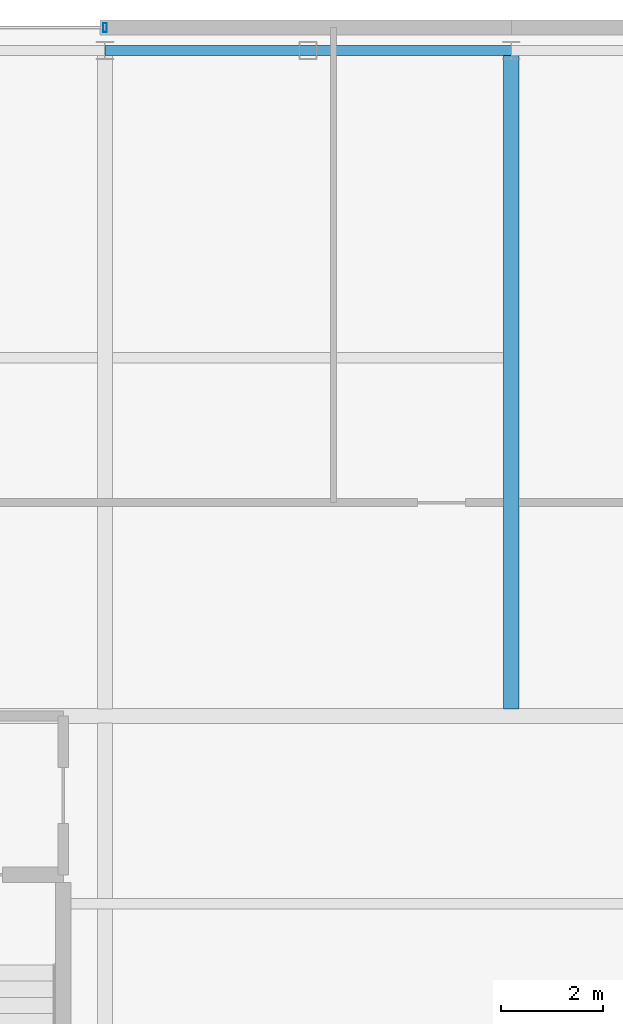
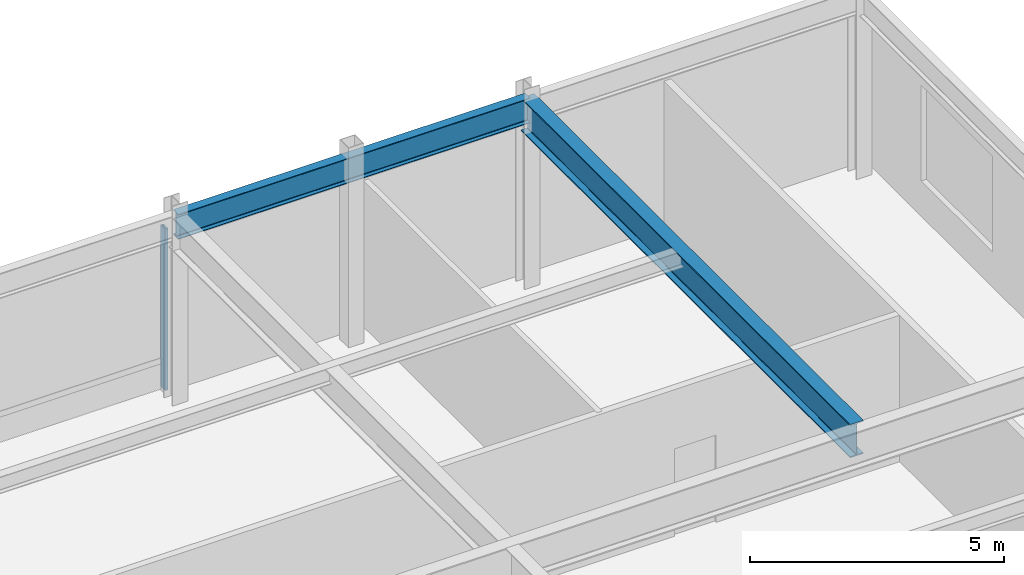
# One storey, part 12 of 22: 2 beams, 1 member, 1 element without a shape of its own.
"""IFC4 building model written with IfcOpenShell, lengths in metres."""

from ifc_helpers import new_model, si_unit, direction, frame, origin, origin_2d, place, context, subcontext, project, spatial, hollow_rectangle, i_section, extrude, material, layer, layer_set, material_profile, profile_set, type_object, element, aggregate, save


model = new_model("IFC4")

# Units and contexts
model_context = context("Model", 3, precision=1e-05, world=origin(), true_north=direction((0.0, 1.0)))
body_context = subcontext(model_context, "Body", "Model", "MODEL_VIEW")
ifc_project = project(units=[si_unit("LENGTHUNIT", "METRE"), si_unit("AREAUNIT", "SQUARE_METRE"), si_unit("VOLUMEUNIT", "CUBIC_METRE"), si_unit("PLANEANGLEUNIT", "RADIAN"), si_unit("MASSUNIT", "GRAM", prefix="KILO")], contexts=[model_context])

# Site, building, storey
site_placement = place(None, origin())
site = spatial("IfcSite", under=ifc_project, at=site_placement, CompositionType="ELEMENT")
building_placement = place(site_placement, origin())
building = spatial("IfcBuilding", under=site, at=building_placement, Name="Veldorina Hangang Commons", CompositionType="ELEMENT")
storey_placement = place(building_placement, frame((0.0, 0.0, 14.800048828125)))
storey = spatial("IfcBuildingStorey", under=building, at=storey_placement, Name="L03", CompositionType="ELEMENT", Elevation=14.800048828125)

# Beams
ifc_material_1 = material(Name="Steel SM460-TMC", Category="steel")
ifc_material_profile_1 = material_profile(ifc_material_1, i_section(OverallWidth=0.300048828125, OverallDepth=0.800048828125, WebThickness=0.013916015625, FlangeThickness=0.02587890625, FilletRadius=0.02197265625, at=origin_2d()), Name="H-800x300x14x26")
ifc_profile_set_1 = profile_set([ifc_material_profile_1], Name="Steel SM460-TMC")
beam_type_1 = type_object("IfcBeamType", Name="BM-PG800", PredefinedType="BEAM", material=ifc_profile_set_1)
beam_1_placement = place(storey_placement, frame((52.0, 31.590087890625, 4.099853515625), z_axis=(0.0, 1.0, 0.0), x_axis=(-1.0, 0.0, 0.0)))
element("IfcBeam", 1, at=beam_1_placement, inside=storey, type_object=beam_type_1, Name="L03 north primary girder G8", PredefinedType="BEAM", context=body_context, shape_type="SweptSolid", body=[
    extrude(i_section(OverallWidth=0.300048828125, OverallDepth=0.800048828125, WebThickness=0.013916015625, FlangeThickness=0.02587890625, FilletRadius=0.02197265625, at=origin_2d()), origin(), (0.0, 0.0, 1.0), 12.9599609375),
])
ifc_material_2 = material(Name="Steel SM420-TMC", Category="steel")
ifc_material_profile_2 = material_profile(ifc_material_2, i_section(OverallWidth=0.199951171875, OverallDepth=0.60009765625, WebThickness=0.010986328125, FlangeThickness=0.01708984375, FilletRadius=0.01806640625, at=origin_2d()), Name="H-600x200x11x17")
ifc_profile_set_2 = profile_set([ifc_material_profile_2], Name="Steel SM420-TMC")
beam_type_2 = type_object("IfcBeamType", Name="BM-SPN600", PredefinedType="SPANDREL", material=ifc_profile_set_2)
beam_2_placement = place(storey_placement, frame((44.0, 44.550048828125, 4.199951171875), z_axis=(1.0, 0.0, 0.0), x_axis=(0.0, 1.0, 0.0)))
element("IfcBeam", 2, at=beam_2_placement, inside=storey, type_object=beam_type_2, Name="L03 north spandrel beam 5", PredefinedType="SPANDREL", context=body_context, shape_type="SweptSolid", body=[
    extrude(i_section(OverallWidth=0.199951171875, OverallDepth=0.60009765625, WebThickness=0.010986328125, FlangeThickness=0.01708984375, FilletRadius=0.01806640625, at=origin_2d()), origin(), (0.0, 0.0, 1.0), 8.0),
])

# Curtain wall, member
ifc_material_3 = material(Name="Glass Low-E Triple IGU", Category="glass")
ifc_layer = layer(ifc_material_3, 0.179931640625)
ifc_layer_set = layer_set([ifc_layer], Name="Glass Low-E Triple IGU")
curtain_wall_type = type_object("IfcCurtainWallType", Name="CW-SYS-POD", PredefinedType="NOTDEFINED", material=ifc_layer_set)
curtain_wall_placement = place(storey_placement, origin())
curtain_wall = element("IfcCurtainWall", 3, at=curtain_wall_placement, inside=storey, type_object=curtain_wall_type, Name="L03 unitised curtain wall CW-L03-N-CTR", PredefinedType="NOTDEFINED")
ifc_material_4 = material(Name="Aluminium Anodized AA6063-T6", Category="aluminium")
ifc_material_profile_3 = material_profile(ifc_material_4, hollow_rectangle(XDim=0.070068359375, YDim=0.179931640625, WallThickness=0.00390625, at=origin_2d()), Name="ALU-RHS-180x70x4")
ifc_profile_set_3 = profile_set([ifc_material_profile_3], Name="Aluminium Anodized AA6063-T6")
member_type = type_object("IfcMemberType", Name="CW-MUL-180", PredefinedType="MULLION", material=ifc_profile_set_3)
member_placement = place(storey_placement, frame((44.0, 45.0, 0.0), z_axis=(0.0, 0.0, 1.0), x_axis=(-1.0, 0.0, 0.0)))
member = element("IfcMember", 4, at=member_placement, type_object=member_type, Name="CW-L03-N-CTR vertical mullion 1", PredefinedType="MULLION", context=body_context, shape_type="SweptSolid", body=[
    extrude(hollow_rectangle(XDim=0.070068359375, YDim=0.179931640625, WallThickness=0.00390625, at=origin_2d()), origin(), (0.0, 0.0, 1.0), 3.8798828125),
])
aggregate(curtain_wall, [member])

save(model, "model.ifc")
